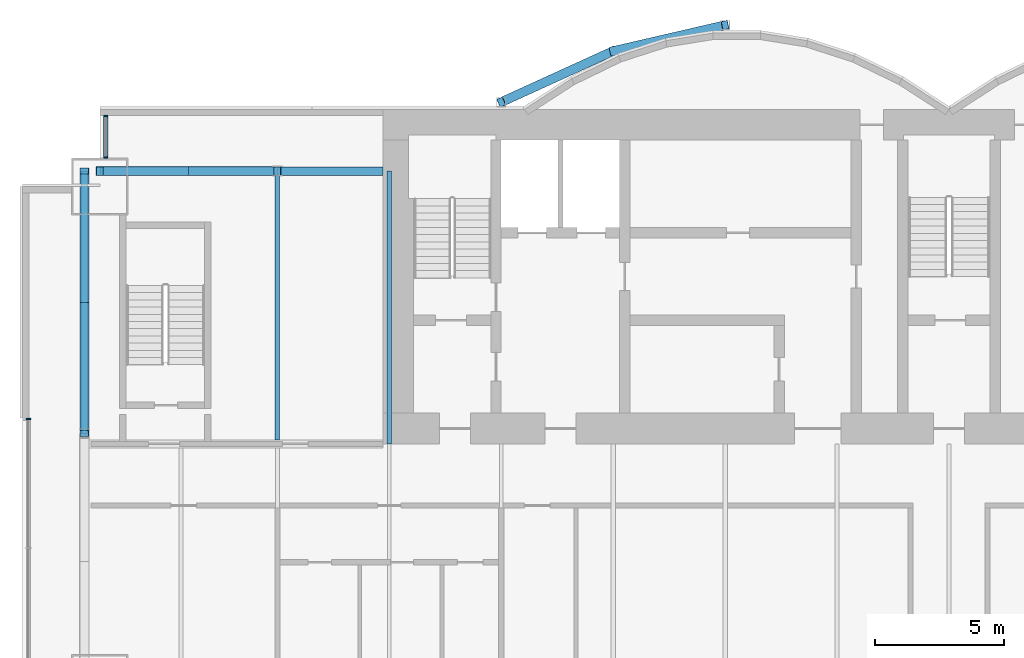
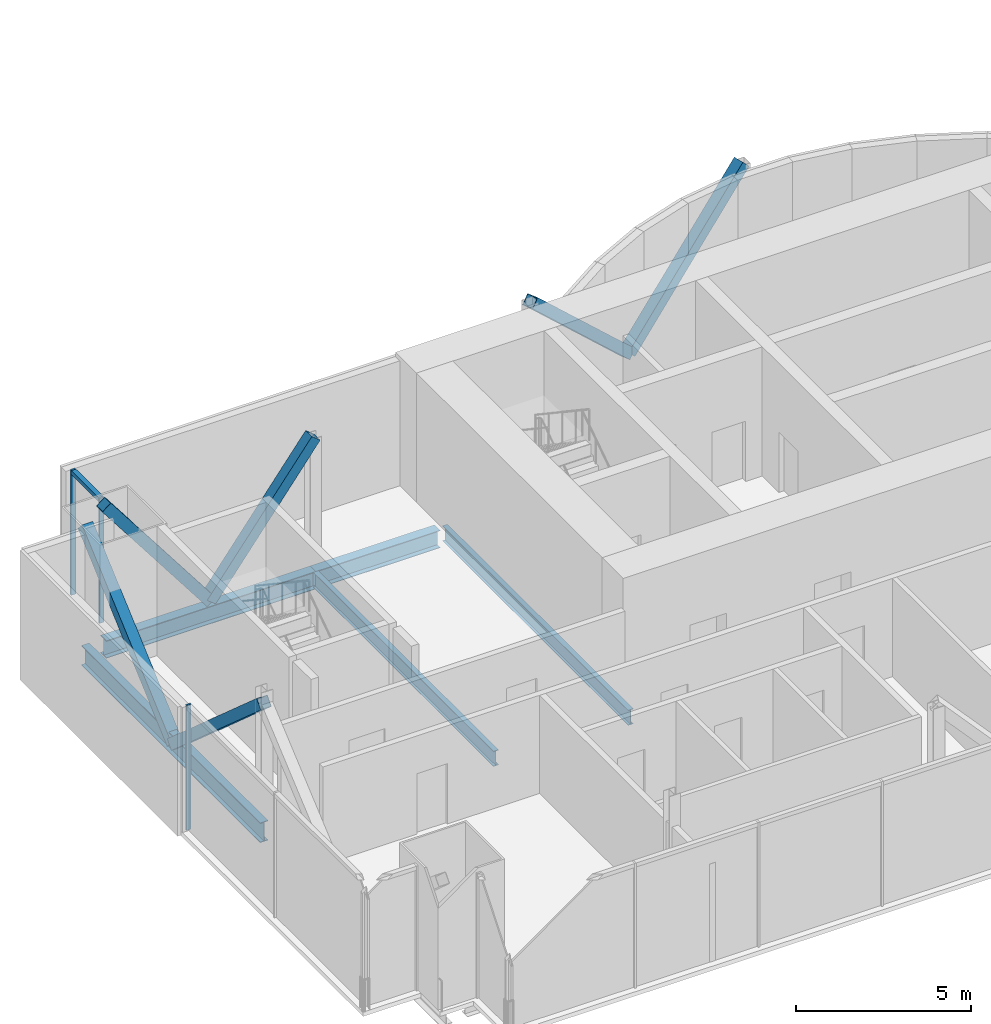
# One storey, part 5 of 16: 10 members, 5 beams, 2 elements without a shape of their own.
"""IFC4 building model written with IfcOpenShell, lengths in metres."""

from ifc_helpers import new_model, si_unit, direction, frame, origin, origin_2d, place, context, subcontext, project, spatial, rectangle, hollow_rectangle, i_section, extrude, material, material_profile, profile_set, type_object, element, aggregate, save


model = new_model("IFC4")

# Units and contexts
model_context = context("Model", 3, precision=1e-05, world=origin(), true_north=direction((0.0, 1.0)))
body_context = subcontext(model_context, "Body", "Model", "MODEL_VIEW")
ifc_project = project(units=[si_unit("LENGTHUNIT", "METRE"), si_unit("AREAUNIT", "SQUARE_METRE"), si_unit("VOLUMEUNIT", "CUBIC_METRE"), si_unit("PLANEANGLEUNIT", "RADIAN"), si_unit("MASSUNIT", "GRAM", prefix="KILO")], contexts=[model_context])

# Site, building, storey
site_placement = place(None, origin())
site = spatial("IfcSite", under=ifc_project, at=site_placement, CompositionType="ELEMENT")
building_placement = place(site_placement, origin())
building = spatial("IfcBuilding", under=site, at=building_placement, Name="Bicima Exchange Tower", CompositionType="ELEMENT")
storey_placement = place(building_placement, frame((0.0, 0.0, 329.0)))
storey = spatial("IfcBuildingStorey", under=building, at=storey_placement, Name="L74", CompositionType="ELEMENT", Elevation=329.0)

# Curtain wall, member
ifc_material_1 = material(Name="Anodised bronze aluminium", Category="aluminium")
curtain_wall_type_1 = type_object("IfcCurtainWallType", Name="End face glass wall", PredefinedType="NOTDEFINED", material=ifc_material_1)
curtain_wall_1_placement = place(storey_placement, origin())
curtain_wall_1 = element("IfcCurtainWall", 1, at=curtain_wall_1_placement, inside=storey, type_object=curtain_wall_type_1, Name="End face glass wall L74 run 2", PredefinedType="NOTDEFINED")
ifc_material_profile_1 = material_profile(ifc_material_1, rectangle(XDim=0.159912109375, YDim=0.06005859375, at=origin_2d()))
ifc_profile_set_1 = profile_set([ifc_material_profile_1], Name="Anodised bronze aluminium")
member_type_1 = type_object("IfcMemberType", Name="End face glass wall mullion 60 x 160", PredefinedType="MULLION", material=ifc_profile_set_1)
member_1_placement = place(storey_placement, frame((-35.77001953125, -12.030029296875, 0.0), z_axis=(0.0, 0.0, 1.0), x_axis=(1.0, 0.0, 0.0)))
member_1 = element("IfcMember", 2, at=member_1_placement, type_object=member_type_1, Name="End face glass wall mullion 1", PredefinedType="MULLION", context=body_context, shape_type="SweptSolid", body=[
    extrude(rectangle(XDim=0.159912109375, YDim=0.06005859375, at=origin_2d()), origin(), (0.0, 0.0, 1.0), 4.35009765625),
])
aggregate(curtain_wall_1, [member_1])

# Beams
ifc_material_2 = material(Name="Steel ASTM A992 Gr 50", Category="steel")
ifc_material_profile_2 = material_profile(ifc_material_2, i_section(OverallWidth=0.256591796875, OverallDepth=0.693359375, WebThickness=0.014404296875, FlangeThickness=0.023681640625, at=origin_2d()))
ifc_profile_set_2 = profile_set([ifc_material_profile_2], Name="Steel ASTM A992 Gr 50")
beam_type_1 = type_object("IfcBeamType", Name="End girder W27x114", PredefinedType="BEAM", material=ifc_profile_set_2)
beam_1_placement = place(storey_placement, frame((-33.60009765625, -2.39990234375, -0.49658203125), z_axis=(0.0, -1.0, 0.0), x_axis=(1.0, 0.0, 0.0)))
element("IfcBeam", 3, at=beam_1_placement, inside=storey, type_object=beam_type_1, Name="End girder", PredefinedType="BEAM", context=body_context, shape_type="SweptSolid", body=[
    extrude(i_section(OverallWidth=0.256591796875, OverallDepth=0.693359375, WebThickness=0.014404296875, FlangeThickness=0.023681640625, at=origin_2d()), origin(), (0.0, 0.0, 1.0), 10.2001953125),
])
ifc_material_profile_3 = material_profile(ifc_material_2, i_section(OverallWidth=0.165771484375, OverallDepth=0.5283203125, WebThickness=0.009765625, FlangeThickness=0.013671875, at=origin_2d()))
ifc_profile_set_3 = profile_set([ifc_material_profile_3], Name="Steel ASTM A992 Gr 50")
beam_type_2 = type_object("IfcBeamType", Name="Floor beam W21x50", PredefinedType="JOIST", material=ifc_profile_set_3)
beam_2_placement = place(storey_placement, frame((-26.10009765625, -2.5625, -0.414306640625), z_axis=(0.0, -1.0, 0.0), x_axis=(1.0, 0.0, 0.0)))
element("IfcBeam", 4, at=beam_2_placement, inside=storey, type_object=beam_type_2, Name="Floor beam", PredefinedType="JOIST", context=body_context, shape_type="SweptSolid", body=[
    extrude(i_section(OverallWidth=0.165771484375, OverallDepth=0.5283203125, WebThickness=0.009765625, FlangeThickness=0.013671875, at=origin_2d()), origin(), (0.0, 0.0, 1.0), 10.28515625),
])
beam_3_placement = place(storey_placement, frame((-21.75, -2.39990234375, -0.414306640625), z_axis=(0.0, -1.0, 0.0), x_axis=(1.0, 0.0, 0.0)))
element("IfcBeam", 5, at=beam_3_placement, inside=storey, type_object=beam_type_2, Name="Floor beam", PredefinedType="JOIST", context=body_context, shape_type="SweptSolid", body=[
    extrude(i_section(OverallWidth=0.165771484375, OverallDepth=0.5283203125, WebThickness=0.009765625, FlangeThickness=0.013671875, at=origin_2d()), origin(), (0.0, 0.0, 1.0), 10.60009765625),
])

# Curtain wall, members
curtain_wall_type_2 = type_object("IfcCurtainWallType", Name="Front glass wall", PredefinedType="NOTDEFINED", material=ifc_material_1)
curtain_wall_2_placement = place(storey_placement, origin())
curtain_wall_2 = element("IfcCurtainWall", 6, at=curtain_wall_2_placement, inside=storey, type_object=curtain_wall_type_2, Name="Front glass wall L74 run 1", PredefinedType="NOTDEFINED")
member_type_2 = type_object("IfcMemberType", Name="Front glass wall mullion 60 x 160", PredefinedType="MULLION", material=ifc_profile_set_1)
member_2_placement = place(storey_placement, frame((-32.77001953125, -0.260009765625, 0.0), z_axis=(0.0, 0.0, 1.0), x_axis=(1.0, 0.0, 0.0)))
member_2 = element("IfcMember", 7, at=member_2_placement, type_object=member_type_2, Name="Front glass wall mullion 1", PredefinedType="MULLION", context=body_context, shape_type="SweptSolid", body=[
    extrude(rectangle(XDim=0.159912109375, YDim=0.06005859375, at=origin_2d()), origin(), (0.0, 0.0, 1.0), 4.35009765625),
])
member_3_placement = place(storey_placement, frame((-32.77001953125, -1.8701171875, 0.0), z_axis=(0.0, 0.0, 1.0), x_axis=(1.0, 0.0, 0.0)))
member_3 = element("IfcMember", 8, at=member_3_placement, type_object=member_type_2, Name="Front glass wall mullion 2", PredefinedType="MULLION", context=body_context, shape_type="SweptSolid", body=[
    extrude(rectangle(XDim=0.159912109375, YDim=0.06005859375, at=origin_2d()), origin(), (0.0, 0.0, 1.0), 4.35009765625),
])
ifc_material_profile_4 = material_profile(ifc_material_1, rectangle(XDim=0.159912109375, YDim=0.139892578125, at=origin_2d()))
ifc_profile_set_4 = profile_set([ifc_material_profile_4], Name="Anodised bronze aluminium")
member_type_3 = type_object("IfcMemberType", Name="Front glass wall transom 140 x 160", PredefinedType="USERDEFINED", material=ifc_profile_set_4)
member_4_placement = place(storey_placement, frame((-32.77001953125, -0.2900390625, 4.280029296875), z_axis=(0.0, -1.0, 0.0), x_axis=(1.0, 0.0, 0.0)))
member_4 = element("IfcMember", 9, at=member_4_placement, type_object=member_type_3, Name="Front glass wall transom 1.1", ObjectType="TRANSOM", PredefinedType="USERDEFINED", context=body_context, shape_type="SweptSolid", body=[
    extrude(rectangle(XDim=0.159912109375, YDim=0.139892578125, at=origin_2d()), origin(), (0.0, 0.0, 1.0), 1.550048828125),
])
aggregate(curtain_wall_2, [member_2, member_3, member_4])

# Members
ifc_material_3 = material(Name="Steel ASTM A572 Gr 50", Category="steel")
ifc_material_profile_5 = material_profile(ifc_material_3, hollow_rectangle(XDim=0.355712890625, YDim=0.355712890625, WallThickness=0.01171875, at=origin_2d()))
ifc_profile_set_5 = profile_set([ifc_material_profile_5], Name="Steel ASTM A572 Gr 50")
member_type_4 = type_object("IfcMemberType", Name="Mega brace HSS14x14x1/2", PredefinedType="BRACE", material=ifc_profile_set_5)
member_5_placement = place(storey_placement, frame((-13.050048828125, 2.262451171875, 0.0), z_axis=(0.686212303743, 0.158786245837, 0.709858860848), x_axis=(-0.225438503722, 0.974257399787, 0.0)))
element("IfcMember", 10, at=member_5_placement, inside=storey, type_object=member_type_4, Name="Mega brace rexo", PredefinedType="BRACE", context=body_context, shape_type="SweptSolid", body=[
    extrude(hollow_rectangle(XDim=0.355712890625, YDim=0.355712890625, WallThickness=0.01171875, at=origin_2d()), origin(), (0.0, 0.0, 1.0), 6.33935546875),
])
member_6_placement = place(storey_placement, frame((-13.050048828125, 2.262451171875, 0.0), z_axis=(-0.662507516739, -0.302231638101, 0.685375683254), x_axis=(0.415045223819, -0.909800781592, 0.0)))
element("IfcMember", 11, at=member_6_placement, inside=storey, type_object=member_type_4, Name="Mega brace rexo", PredefinedType="BRACE", context=body_context, shape_type="SweptSolid", body=[
    extrude(hollow_rectangle(XDim=0.355712890625, YDim=0.355712890625, WallThickness=0.01171875, at=origin_2d()), origin(), (0.0, 0.0, 1.0), 6.565673828125),
])
for number, where, z_axis, x_axis, name in (
    (12, (-29.550048828125, -2.39990234375, 0.0), (0.608426120198, 0.0, 0.793610519248), (0.0, 1.0, 0.0), "Mega brace rear"),
    (13, (-29.550048828125, -2.39990234375, 0.0), (-0.608426120198, 0.0, 0.793610519248), (0.0, -1.0, 0.0), "Mega brace rear"),
):
    element("IfcMember", number, at=place(storey_placement, frame(where, z_axis=z_axis, x_axis=x_axis)), inside=storey, type_object=member_type_4, Name=name, PredefinedType="BRACE", context=body_context, shape_type="SweptSolid", body=[
        extrude(hollow_rectangle(XDim=0.355712890625, YDim=0.355712890625, WallThickness=0.01171875, at=origin_2d()), origin(), (0.0, 0.0, 1.0), 5.670166015625),
    ])
for number, where, z_axis, x_axis, name in (
    (14, (-33.60009765625, -7.5, -0.49658203125), (0.0, -0.749844140428, 0.661614513948), (1.0, 0.0, 0.0), "Mega brace west end"),
    (15, (-33.60009765625, -7.5, -0.49658203125), (0.0, 0.749844140428, 0.661614513948), (-1.0, 0.0, 0.0), "Mega brace west end"),
):
    element("IfcMember", number, at=place(storey_placement, frame(where, z_axis=z_axis, x_axis=x_axis)), inside=storey, type_object=member_type_4, Name=name, PredefinedType="BRACE", context=body_context, shape_type="SweptSolid", body=[
        extrude(hollow_rectangle(XDim=0.355712890625, YDim=0.355712890625, WallThickness=0.01171875, at=origin_2d()), origin(), (0.0, 0.0, 1.0), 6.801513671875),
    ])

# Beams
ifc_material_profile_6 = material_profile(ifc_material_2, i_section(OverallWidth=0.3251953125, OverallDepth=0.612060546875, WebThickness=0.0126953125, FlangeThickness=0.01904296875, at=origin_2d()))
ifc_profile_set_6 = profile_set([ifc_material_profile_6], Name="Steel ASTM A992 Gr 50")
beam_type_3 = type_object("IfcBeamType", Name="Rear girder W24x104", PredefinedType="BEAM", material=ifc_profile_set_6)
beam_4_placement = place(storey_placement, frame((-22.0, -2.39990234375, -0.4560546875), z_axis=(-1.0, 0.0, 0.0), x_axis=(0.0, -1.0, 0.0)))
element("IfcBeam", 16, at=beam_4_placement, inside=storey, type_object=beam_type_3, Name="Rear girder", PredefinedType="BEAM", context=body_context, shape_type="SweptSolid", body=[
    extrude(i_section(OverallWidth=0.3251953125, OverallDepth=0.612060546875, WebThickness=0.0126953125, FlangeThickness=0.01904296875, at=origin_2d()), origin(), (0.0, 0.0, 1.0), 4.10009765625),
])
beam_5_placement = place(storey_placement, frame((-26.10009765625, -2.39990234375, -0.4560546875), z_axis=(-1.0, 0.0, 0.0), x_axis=(0.0, -1.0, 0.0)))
element("IfcBeam", 17, at=beam_5_placement, inside=storey, type_object=beam_type_3, Name="Rear girder", PredefinedType="BEAM", context=body_context, shape_type="SweptSolid", body=[
    extrude(i_section(OverallWidth=0.3251953125, OverallDepth=0.612060546875, WebThickness=0.0126953125, FlangeThickness=0.01904296875, at=origin_2d()), origin(), (0.0, 0.0, 1.0), 6.89990234375),
])

save(model, "model.ifc")
